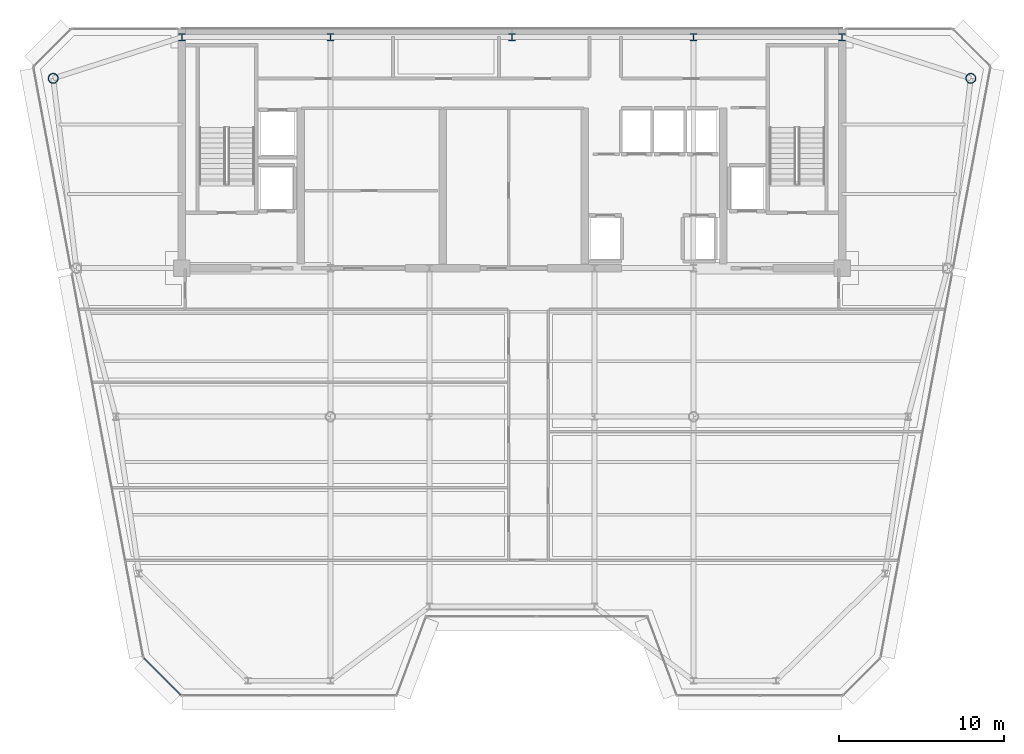
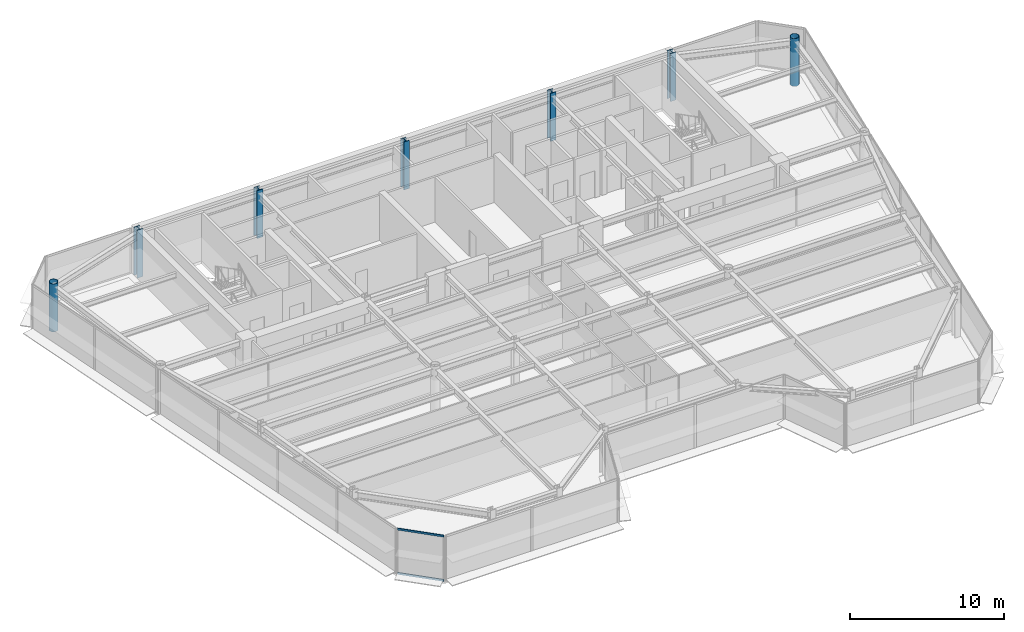
# One storey, part 2 of 18: 7 columns, 2 members, 1 element without a shape of its own.
"""IFC4 building model written with IfcOpenShell, lengths in metres."""

from ifc_helpers import new_model, si_unit, direction, frame, origin, origin_2d, place, context, subcontext, project, spatial, rectangle, hollow_circle, i_section, extrude, source, transform, mapped, material, layer, layer_set, material_profile, profile_set, type_object, element, aggregate, save


model = new_model("IFC4")

# Units and contexts
model_context = context("Model", 3, precision=1e-05, world=origin(), true_north=direction((0.0, 1.0)))
body_context = subcontext(model_context, "Body", "Model", "MODEL_VIEW")
ifc_project = project(units=[si_unit("LENGTHUNIT", "METRE"), si_unit("AREAUNIT", "SQUARE_METRE"), si_unit("VOLUMEUNIT", "CUBIC_METRE"), si_unit("PLANEANGLEUNIT", "RADIAN"), si_unit("MASSUNIT", "GRAM", prefix="KILO")], contexts=[model_context])

# Site, building, storey
site_placement = place(None, origin())
site = spatial("IfcSite", under=ifc_project, at=site_placement, CompositionType="ELEMENT")
building_placement = place(site_placement, origin())
building = spatial("IfcBuilding", under=site, at=building_placement, Name="Vaeldorn Concourse Tower", CompositionType="ELEMENT")
storey_placement = place(building_placement, frame((0.0, 0.0, 257.39990234375)))
storey = spatial("IfcBuildingStorey", under=building, at=storey_placement, Name="L66", CompositionType="ELEMENT", Elevation=257.39990234375)

# Columns
ifc_material_1 = material(Name="Steel S460", Category="steel")
ifc_material_profile_1 = material_profile(ifc_material_1, i_section(OverallWidth=0.41796875, OverallDepth=0.455078125, WebThickness=0.0419921875, FlangeThickness=0.05810546875, FilletRadius=0.014892578125, at=origin_2d()), Name="HD 400x551")
ifc_profile_set_1 = profile_set([ifc_material_profile_1], Name="Steel S460")
column_type_1 = type_object("IfcColumnType", Name="COL-HD551", PredefinedType="COLUMN", material=ifc_profile_set_1)
shared_shape_1 = source(origin(), body_context, "Body", "SweptSolid", [
    extrude(i_section(OverallWidth=0.41796875, OverallDepth=0.455078125, WebThickness=0.0419921875, FlangeThickness=0.05810546875, FilletRadius=0.014892578125, at=origin_2d()), origin(), (0.0, 0.0, 1.0), 3.800048828125),
])
for number, where, z_axis, x_axis, name in (
    (1, (14.0, 50.5, 0.0), (0.0, 0.0, 1.0), (1.0, 0.0, 0.0), "Column C-HC1 L66"),
    (2, (23.0, 50.5, 0.0), (0.0, 0.0, 1.0), (1.0, 0.0, 0.0), "Column C-HC2 L66"),
    (3, (34.0, 50.5, 0.0), (0.0, 0.0, 1.0), (1.0, 0.0, 0.0), "Column C-HC3 L66"),
    (4, (45.0, 50.5, 0.0), (0.0, 0.0, 1.0), (1.0, 0.0, 0.0), "Column C-HC4 L66"),
    (5, (54.0, 50.5, 0.0), (0.0, 0.0, 1.0), (1.0, 0.0, 0.0), "Column C-HC5 L66"),
):
    element("IfcColumn", number, at=place(storey_placement, frame(where, z_axis=z_axis, x_axis=x_axis)), inside=storey, type_object=column_type_1, Name=name, PredefinedType="COLUMN", context=body_context, shape_type="MappedRepresentation", body=[
        mapped(shared_shape_1, transform((0.0, 0.0, 0.0), scale=1.0)),
    ])
ifc_material_2 = material(Name="Steel S355", Category="steel")
ifc_material_profile_2 = material_profile(ifc_material_2, hollow_circle(Radius=0.304931640625, WallThickness=0.030029296875, at=origin_2d()), Name="CHS 610x30")
ifc_profile_set_2 = profile_set([ifc_material_profile_2], Name="Steel S355")
column_type_2 = type_object("IfcColumnType", Name="COL-CHS610", PredefinedType="COLUMN", material=ifc_profile_set_2)
shared_shape_2 = source(origin(), body_context, "Body", "SweptSolid", [
    extrude(hollow_circle(Radius=0.304931640625, WallThickness=0.030029296875, at=origin_2d()), origin(), (0.0, 0.0, 1.0), 3.800048828125),
])
for number, where, z_axis, x_axis, name in (
    (6, (6.199951171875, 48.0, 0.0), (0.0, 0.0, 1.0), (1.0, 0.0, 0.0), "Column C-NW1 L66"),
    (7, (61.800048828125, 48.0, 0.0), (0.0, 0.0, 1.0), (1.0, 0.0, 0.0), "Column C-NE1 L66"),
):
    element("IfcColumn", number, at=place(storey_placement, frame(where, z_axis=z_axis, x_axis=x_axis)), inside=storey, type_object=column_type_2, Name=name, PredefinedType="COLUMN", context=body_context, shape_type="MappedRepresentation", body=[
        mapped(shared_shape_2, transform((0.0, 0.0, 0.0), scale=1.0)),
    ])

# Curtain wall, members
ifc_material_3 = material(Name="Anodised Bronze Aluminium", Category="aluminium")
ifc_layer = layer(ifc_material_3, 0.179931640625)
ifc_layer_set = layer_set([ifc_layer], Name="Anodised Bronze Aluminium")
curtain_wall_type = type_object("IfcCurtainWallType", Name="CW-SYS-05", PredefinedType="NOTDEFINED", material=ifc_layer_set)
curtain_wall_placement = place(storey_placement, origin())
curtain_wall = element("IfcCurtainWall", 8, at=curtain_wall_placement, inside=storey, type_object=curtain_wall_type, Name="Unitised Curtain Wall CW-L66-E12-1", PredefinedType="NOTDEFINED")
ifc_material_profile_3 = material_profile(ifc_material_3, rectangle(XDim=0.06494140625, YDim=0.14990234375, at=origin_2d()), Name="CWT 65x150")
ifc_profile_set_3 = profile_set([ifc_material_profile_3], Name="Anodised Bronze Aluminium")
member_type = type_object("IfcMemberType", Name="CWT-BRONZE-150", PredefinedType="USERDEFINED", material=ifc_profile_set_3)
shared_shape_3 = source(origin(), body_context, "Body", "SweptSolid", [
    extrude(rectangle(XDim=0.06494140625, YDim=0.14990234375, at=origin_2d()), origin(), (0.0, 0.0, 1.0), 3.12255859375),
])
member_1_placement = place(storey_placement, frame((11.7119140625, 12.85400390625, 0.03271484375), z_axis=(0.707106781187, -0.707106781187, 0.0), x_axis=(0.707106781187, 0.707106781187, 0.0)))
member_1 = element("IfcMember", 9, at=member_1_placement, type_object=member_type, Name="CW-05 transom 1.1", ObjectType="TRANSOM", PredefinedType="USERDEFINED", context=body_context, shape_type="MappedRepresentation", body=[
    mapped(shared_shape_3, transform((0.0, 0.0, 0.0), scale=1.0)),
])
member_2_placement = place(storey_placement, frame((11.7119140625, 12.85400390625, 3.547607421875), z_axis=(0.707106781187, -0.707106781187, 0.0), x_axis=(0.707106781187, 0.707106781187, 0.0)))
member_2 = element("IfcMember", 10, at=member_2_placement, type_object=member_type, Name="CW-05 transom 1.2", ObjectType="TRANSOM", PredefinedType="USERDEFINED", context=body_context, shape_type="MappedRepresentation", body=[
    mapped(shared_shape_3, transform((0.0, 0.0, 0.0), scale=1.0)),
])
aggregate(curtain_wall, [member_1, member_2])

save(model, "model.ifc")
